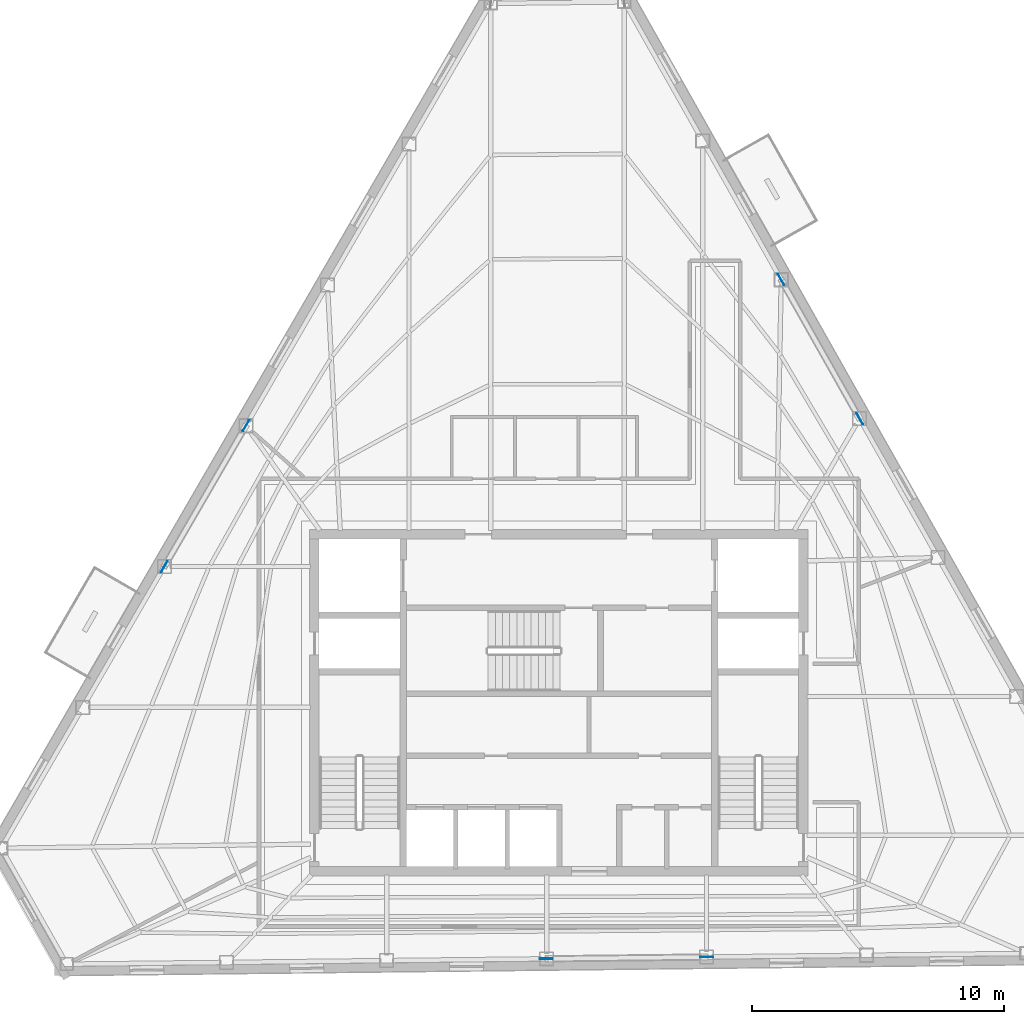
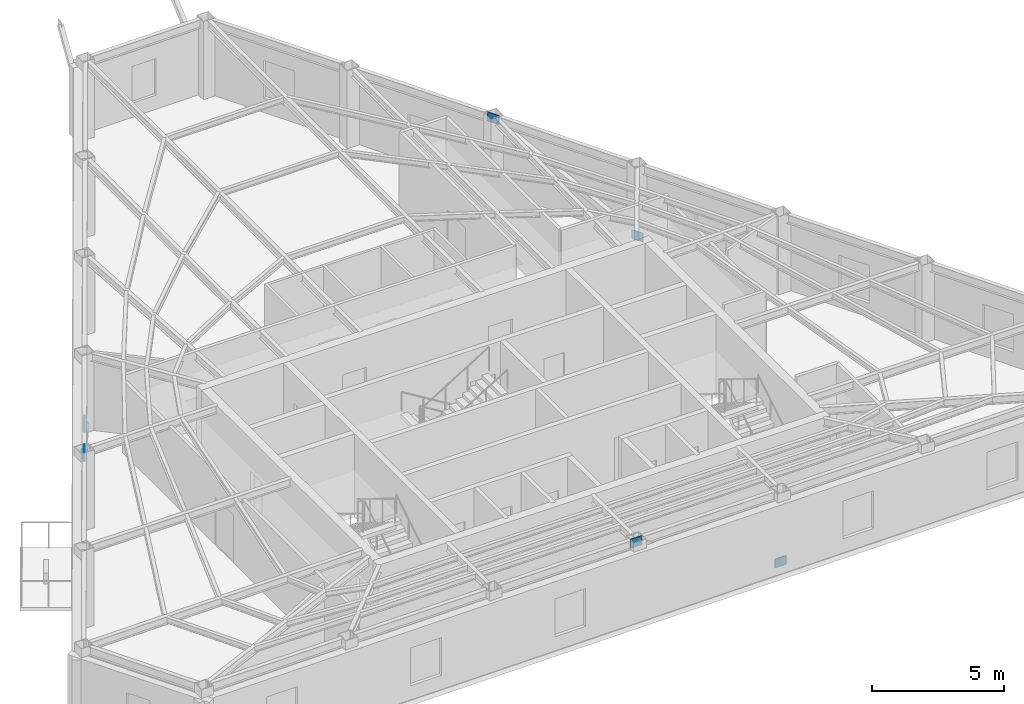
# One storey, part 4 of 10: 6 plates.
"""IFC4 building model written with IfcOpenShell, lengths in metres."""

from ifc_helpers import new_model, si_unit, direction, frame, origin, origin_2d, place, context, subcontext, project, spatial, rectangle, extrude, material, layer, layer_set, type_object, element, save


model = new_model("IFC4")

# Units and contexts
model_context = context("Model", 3, precision=1e-05, world=origin(), true_north=direction((0.0, 1.0)))
body_context = subcontext(model_context, "Body", "Model", "MODEL_VIEW")
ifc_project = project(units=[si_unit("LENGTHUNIT", "METRE"), si_unit("AREAUNIT", "SQUARE_METRE"), si_unit("VOLUMEUNIT", "CUBIC_METRE"), si_unit("PLANEANGLEUNIT", "RADIAN"), si_unit("MASSUNIT", "GRAM", prefix="KILO")], contexts=[model_context])

# Site, building, storey
site_placement = place(None, origin())
site = spatial("IfcSite", under=ifc_project, at=site_placement, CompositionType="ELEMENT")
building_placement = place(site_placement, origin())
building = spatial("IfcBuilding", under=site, at=building_placement, Name="Kavelnor Concourse Tower", CompositionType="ELEMENT")
storey_placement = place(building_placement, frame((0.0, 0.0, 293.39990234375)))
storey = spatial("IfcBuildingStorey", under=building, at=storey_placement, Name="L74", CompositionType="ELEMENT", Elevation=293.39990234375)

# Plates
ifc_material = material(Name="Steel Grade 350", Category="steel")
ifc_layer = layer(ifc_material, 0.031982421875, Name="Steel Grade 350")
ifc_layer_set = layer_set([ifc_layer], Name="Steel Grade 350")
plate_type = type_object("IfcPlateType", Name="PL-GUSSET-TUBE-Z1", PredefinedType="USERDEFINED", material=ifc_layer_set)
for number, where, z_axis, x_axis, name in (
    (1, (25.576171875, 27.10693359375, 0.01025390625), (0.0, 0.0, 1.0), (-0.501359732114, -0.865238937528, 0.0), "L74 Tube Brace Gusset GP3 F0-B3 End Gusset A"),
    (2, (22.324951171875, 21.49560546875, 3.197021484375), (0.0, 0.0, 1.0), (-0.501359732114, -0.865238937528, 0.0), "L74 Tube Brace Gusset GP3 F0-B3 End Gusset B"),
    (3, (43.87451171875, 6.00146484375, 0.01025390625), (0.0, 0.0, 1.0), (-0.999937615001, -0.011169874929, 0.0), "L74 Tube Brace Gusset GP3 F1-B3 End Gusset A"),
    (4, (37.498291015625, 5.929931640625, 3.197021484375), (0.0, 0.0, 1.0), (-0.999937615001, -0.011169874929, 0.0), "L74 Tube Brace Gusset GP3 F1-B3 End Gusset B"),
    (5, (49.946044921875, 27.368896484375, 0.01025390625), (0.0, 0.0, 1.0), (-0.491663844071, 0.8707850851, 0.0), "L74 Tube Brace Gusset GP3 F2-B3 End Gusset A"),
    (6, (46.8203125, 32.90576171875, 3.197021484375), (0.0, 0.0, 1.0), (-0.491663844071, 0.8707850851, 0.0), "L74 Tube Brace Gusset GP3 F2-B3 End Gusset B"),
):
    element("IfcPlate", number, at=place(storey_placement, frame(where, z_axis=z_axis, x_axis=x_axis)), inside=storey, type_object=plate_type, Name=name, ObjectType="GUSSET_PLATE", PredefinedType="USERDEFINED", context=body_context, shape_type="SweptSolid", body=[
        extrude(rectangle(XDim=0.52001953125, YDim=0.031982421875, at=origin_2d()), origin(), (0.0, 0.0, 1.0), 0.419921875),
    ])

save(model, "model.ifc")
